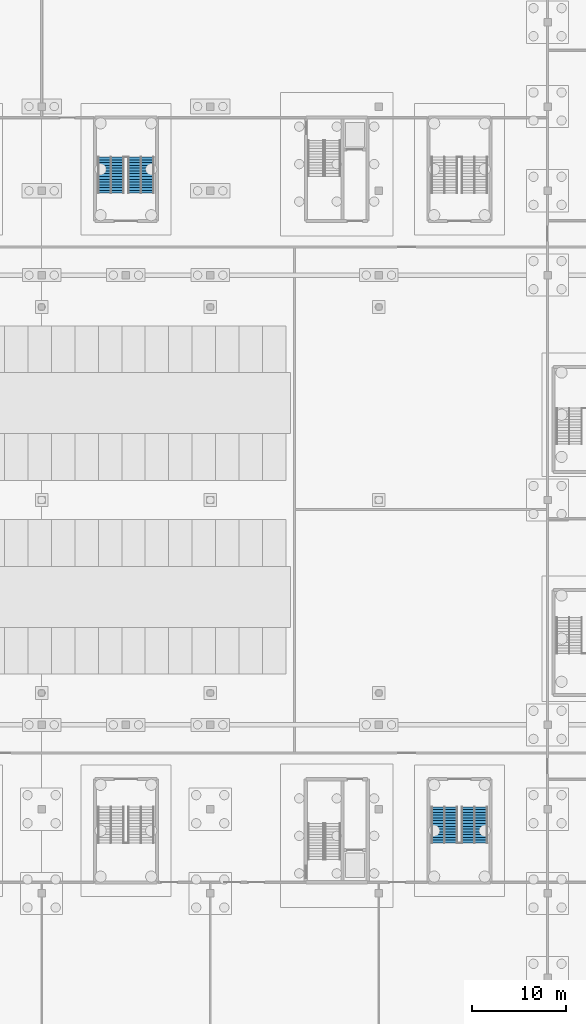
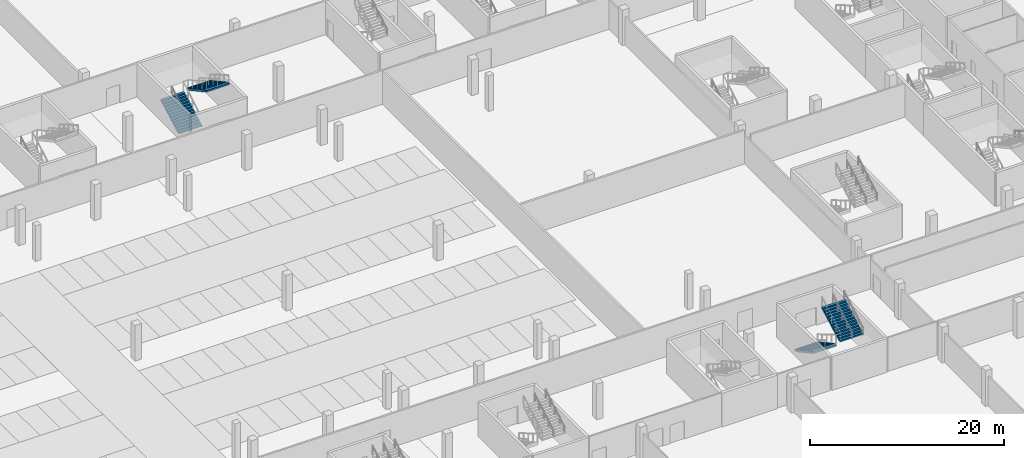
# One storey, part 34 of 46: 4 stair flights, 2 elements without a shape of their own.
"""IFC4 building model written with IfcOpenShell, lengths in metres."""

import ifcopenshell
import ifcopenshell.guid

model = None  # the IFC model being written
_history = None  # IfcOwnerHistory: only IFC2X3 demands one
_inside = {}  # id of a spatial element -> (the spatial element, [elements in it])
_under = {}  # id of a project, library or spatial element -> (it, [spatial elements below it])
_declared = {}  # id of a project -> (the project, [libraries it declares])
_typed = {}  # id of a type object -> (the type object, [elements of that type])
_made_of = {}  # id of a material, layer set ... -> (it, [elements and type objects made of it])


def new_model(schema):
    """Start an empty IFC model of exactly this schema.

    Asked for "IFC4X3", IfcOpenShell would pick the latest addendum, in which some entities
    have other attributes; the version numbers below select the first issue.
    IFC2X3 requires an IfcOwnerHistory on every rooted entity: one is made here for all.
    """
    global model, _history
    if schema == "IFC4X3":
        model = ifcopenshell.file(schema_version=(4, 3, 0, 0))
    else:
        model = ifcopenshell.file(schema=schema)
    _inside.clear()
    _under.clear()
    _declared.clear()
    _typed.clear()
    _made_of.clear()
    _history = None
    if model.schema == "IFC2X3":
        org = make("IfcOrganization", Name="unknown")
        user = make(
            "IfcPersonAndOrganization",
            ThePerson=make("IfcPerson", FamilyName="unknown"),
            TheOrganization=org,
        )
        app = make(
            "IfcApplication",
            ApplicationDeveloper=org,
            Version="unknown",
            ApplicationFullName="unknown",
            ApplicationIdentifier="unknown",
        )
        _history = make(
            "IfcOwnerHistory",
            OwningUser=user,
            OwningApplication=app,
            ChangeAction="ADDED",
            CreationDate=0,
        )
    return model


def make(cls, **values):
    """One entity of the class cls with the attributes given. An attribute that is None is left unset."""
    return model.create_entity(
        cls, **{name: value for name, value in values.items() if value is not None}
    )


def rooted(cls, **values):
    """An entity with a GlobalId (a new one), such as an element, a storey or a relation."""
    return make(cls, GlobalId=ifcopenshell.guid.new(), OwnerHistory=_history, **values)


def si_unit(unit_type, name, prefix=None):
    """IfcSIUnit, for example si_unit("LENGTHUNIT", "METRE", prefix="MILLI")."""
    return make("IfcSIUnit", UnitType=unit_type, Prefix=prefix, Name=name)


def assignment(units):
    """IfcUnitAssignment: the units of a project."""
    return None if units is None else make("IfcUnitAssignment", Units=units)


def point(xyz):
    """IfcCartesianPoint."""
    return None if xyz is None else make("IfcCartesianPoint", Coordinates=xyz)


def direction(xyz):
    """IfcDirection."""
    return None if xyz is None else make("IfcDirection", DirectionRatios=xyz)


def frame(location, z_axis=None, x_axis=None):
    """IfcAxis2Placement3D, a coordinate frame: its origin and axes. An axis left out is left unset."""
    return make(
        "IfcAxis2Placement3D",
        Location=point(location),
        Axis=direction(z_axis),
        RefDirection=direction(x_axis),
    )


def origin():
    """The frame at (0, 0, 0) with its axes left unset."""
    return frame((0.0, 0.0, 0.0))


def place(relative_to, where):
    """IfcLocalPlacement: puts the frame where relative to a parent placement (None: the world)."""
    return make(
        "IfcLocalPlacement", PlacementRelTo=relative_to, RelativePlacement=where
    )


def context(
    kind, dimensions, precision=None, world=None, true_north=None, identifier=None
):
    """IfcGeometricRepresentationContext, for example the 3D "Model" context."""
    return make(
        "IfcGeometricRepresentationContext",
        ContextIdentifier=identifier,
        ContextType=kind,
        CoordinateSpaceDimension=dimensions,
        Precision=precision,
        WorldCoordinateSystem=world,
        TrueNorth=true_north,
    )


def subcontext(parent, identifier, kind, view, scale=None):
    """IfcGeometricRepresentationSubContext, for example "Body" below "Model"."""
    return make(
        "IfcGeometricRepresentationSubContext",
        ContextIdentifier=identifier,
        ContextType=kind,
        ParentContext=parent,
        TargetScale=scale,
        TargetView=view,
    )


def project(units=None, contexts=None):
    """IfcProject with its units and contexts."""
    return rooted(
        "IfcProject",
        Name="project",
        RepresentationContexts=contexts,
        UnitsInContext=assignment(units),
    )


def spatial(cls, under=None, at=None, **own):
    """A site, building, storey or space (cls), placed at a placement, below another one or the project."""
    s = rooted(cls, ObjectPlacement=at, **own)
    if under is not None:
        _under.setdefault(under.id(), (under, []))[1].append(s)
    return s


def point_list(points):
    """IfcCartesianPointList2D or 3D."""
    cls = (
        "IfcCartesianPointList2D" if len(points[0]) == 2 else "IfcCartesianPointList3D"
    )
    return make(cls, CoordList=points)


def polygons(points, faces, closed=None, point_numbers=None):
    """IfcPolygonalFaceSet: a face is its outer loop, then its inner loops; points numbered from 1."""
    made = []
    for loops in faces:
        if len(loops) == 1:
            made.append(make("IfcIndexedPolygonalFace", CoordIndex=loops[0]))
        else:
            made.append(
                make(
                    "IfcIndexedPolygonalFaceWithVoids",
                    CoordIndex=loops[0],
                    InnerCoordIndices=loops[1:],
                )
            )
    return make(
        "IfcPolygonalFaceSet",
        Coordinates=point_list(points),
        Closed=closed,
        Faces=made,
        PnIndex=point_numbers,
    )


def shape(context_of_items, identifier, shape_type, items):
    """IfcShapeRepresentation: the items that make up one representation, for example the "Body"."""
    return make(
        "IfcShapeRepresentation",
        ContextOfItems=context_of_items,
        RepresentationIdentifier=identifier,
        RepresentationType=shape_type,
        Items=items,
    )


def material(Name=None, Category=None):
    """IfcMaterial."""
    return make("IfcMaterial", Name=Name, Category=Category)


def made_of(thing, what):
    """Note that an element or type object is made of a material, layer set ...; save() writes the relation."""
    if what is not None:
        _made_of.setdefault(what.id(), (what, []))[1].append(thing)
    return thing


def type_object(cls, material=None, **own):
    """A type object (cls), such as IfcWallType, which elements share."""
    return made_of(rooted(cls, **own), material)


def element(
    cls,
    number,
    at=None,
    inside=None,
    cuts=None,
    type_object=None,
    material=None,
    context=None,
    identifier="Body",
    shape_type=None,
    held_by="IfcProductDefinitionShape",
    body=None,
    shapes=None,
    **own,
):
    """One element of the class cls, such as IfcWall. Its Tag is "e" and its number.

    at: its placement. inside: the storey or other place that contains it. cuts: it is an
    opening in that element (IfcRelVoidsElement). A single representation is given by context,
    identifier, shape_type and body (its items); several are given by shapes. held_by: the class
    of the entity that holds the representations. save() writes the other relations.
    """
    e = rooted(cls, Tag="e%d" % number, ObjectPlacement=at, **own)
    if body is not None:
        shapes = [shape(context, identifier, shape_type, body)]
    if shapes is not None:
        e.Representation = make(held_by, Representations=shapes)
    if inside is not None:
        _inside.setdefault(inside.id(), (inside, []))[1].append(e)
    if cuts is not None:
        rooted(
            "IfcRelVoidsElement", RelatingBuildingElement=cuts, RelatedOpeningElement=e
        )
    if type_object is not None:
        _typed.setdefault(type_object.id(), (type_object, []))[1].append(e)
    return made_of(e, material)


def aggregate(whole, parts):
    """IfcRelAggregates: a whole, such as a stair, and the parts it consists of."""
    return rooted("IfcRelAggregates", RelatingObject=whole, RelatedObjects=parts)


def save(model, path):
    """Write the relations noted so far, then the file.

    IfcRelAggregates (storeys below a building ...), IfcRelContainedInSpatialStructure (elements
    in a storey), IfcRelDefinesByType, IfcRelAssociatesMaterial and IfcRelDeclares: one each for
    every whole, place, type object, material and project.
    """
    for whole, parts in _under.values():
        aggregate(whole, parts)
    for where, things in _inside.values():
        rooted(
            "IfcRelContainedInSpatialStructure",
            RelatedElements=things,
            RelatingStructure=where,
        )
    for kind, things in _typed.values():
        rooted("IfcRelDefinesByType", RelatedObjects=things, RelatingType=kind)
    for what, things in _made_of.values():
        rooted("IfcRelAssociatesMaterial", RelatedObjects=things, RelatingMaterial=what)
    for by, libraries in _declared.values():
        rooted("IfcRelDeclares", RelatingContext=by, RelatedDefinitions=libraries)
    model.write(path)


model = new_model("IFC4")

# Units and contexts
model_context = context("Model", 3, precision=1e-05, world=origin(), true_north=direction((0.0, 1.0)))
body_context = subcontext(model_context, "Body", "Model", "MODEL_VIEW")
ifc_project = project(units=[si_unit("LENGTHUNIT", "METRE"), si_unit("AREAUNIT", "SQUARE_METRE"), si_unit("VOLUMEUNIT", "CUBIC_METRE"), si_unit("PLANEANGLEUNIT", "RADIAN"), si_unit("MASSUNIT", "GRAM", prefix="KILO")], contexts=[model_context])

# Site, building, storey
site_placement = place(None, origin())
site = spatial("IfcSite", under=ifc_project, at=site_placement, CompositionType="ELEMENT")
building_placement = place(site_placement, origin())
building = spatial("IfcBuilding", under=site, at=building_placement, Name="Kisiwana Market Hall", CompositionType="ELEMENT")
storey_placement = place(building_placement, frame((0.0, 0.0, -4.5)))
storey = spatial("IfcBuildingStorey", under=building, at=storey_placement, Name="B1", CompositionType="ELEMENT", Elevation=-4.5)

# Stair, stair flights
ifc_material_1 = material(Name="Concrete C32/40", Category="concrete")
stair_type = type_object("IfcStairType", Name="ST-ESC-4500", PredefinedType="TWO_STRAIGHT_RUN_STAIR", material=ifc_material_1)
stair_1_placement = place(storey_placement, origin())
stair_1 = element("IfcStair", 1, at=stair_1_placement, inside=storey, type_object=stair_type, Name="Escape stair ST-N5-B1", PredefinedType="TWO_STRAIGHT_RUN_STAIR")
ifc_material_2 = material(Name="Concrete C32/40", Category="concrete")
stair_flight_type = type_object("IfcStairFlightType", Name="SF-ESC-4500", PredefinedType="STRAIGHT", material=ifc_material_2)
stair_flight_1_placement = place(storey_placement, frame((106.389892578125, 92.760009765625, 0.0), z_axis=(0.0, 0.0, 1.0), x_axis=(0.0, 1.0, 0.0)))
stair_flight_1 = element("IfcStairFlight", 2, at=stair_flight_1_placement, type_object=stair_flight_type, Name="ST-N5-B1 flight 1", NumberOfRisers=14, NumberOfTreads=13, PredefinedType="STRAIGHT", RiserHeight=0.160714, TreadLength=0.295, context=body_context, shape_type="Tessellation", body=[
    polygons([(0.0, -1.380127, 0.0), (0.0, -0.690125, 0.0), (0.0, -0.000122, 0.0), (0.0, 0.68988, 0.0), (0.0, 1.379883, 0.0), (0.0, -1.380127, 0.160645), (0.0, -0.690125, 0.160645), (0.0, -0.000122, 0.160645), (0.0, 0.68988, 0.160645), (0.0, 1.379883, 0.160645), (0.294922, -1.380127, 0.160645), (0.294922, -0.690125, 0.160645), (0.294922, -0.000122, 0.160645), (0.294922, 0.68988, 0.160645), (0.294922, 1.379883, 0.160645), (0.294922, -1.380127, 0.321533), (0.294922, -0.690125, 0.321533), (0.294922, -0.000122, 0.321533), (0.294922, 0.68988, 0.321533), (0.294922, 1.379883, 0.321533), (0.590088, -1.380127, 0.321533), (0.590088, -0.690125, 0.321533), (0.590088, -0.000122, 0.321533), (0.590088, 0.68988, 0.321533), (0.590088, 1.379883, 0.321533), (0.590088, -1.380127, 0.482178), (0.590088, -0.690125, 0.482178), (0.590088, -0.000122, 0.482178), (0.590088, 0.68988, 0.482178), (0.590088, 1.379883, 0.482178), (0.88501, -1.380127, 0.482178), (0.88501, -0.690125, 0.482178), (0.88501, -0.000122, 0.482178), (0.88501, 0.68988, 0.482178), (0.88501, 1.379883, 0.482178), (0.88501, -1.380127, 0.642822), (0.88501, -0.690125, 0.642822), (0.88501, -0.000122, 0.642822), (0.88501, 0.68988, 0.642822), (0.88501, 1.379883, 0.642822), (1.179932, -1.380127, 0.642822), (1.179932, -0.690125, 0.642822), (1.179932, -0.000122, 0.642822), (1.179932, 0.68988, 0.642822), (1.179932, 1.379883, 0.642822), (1.179932, -1.380127, 0.803467), (1.179932, -0.690125, 0.803467), (1.179932, -0.000122, 0.803467), (1.179932, 0.68988, 0.803467), (1.179932, 1.379883, 0.803467), (1.475098, -1.380127, 0.803467), (1.475098, -0.690125, 0.803467), (1.475098, -0.000122, 0.803467), (1.475098, 0.68988, 0.803467), (1.475098, 1.379883, 0.803467), (1.475098, -1.380127, 0.964355), (1.475098, -0.690125, 0.964355), (1.475098, -0.000122, 0.964355), (1.475098, 0.68988, 0.964355), (1.475098, 1.379883, 0.964355), (1.77002, -1.380127, 0.964355), (1.77002, -0.690125, 0.964355), (1.77002, -0.000122, 0.964355), (1.77002, 0.68988, 0.964355), (1.77002, 1.379883, 0.964355), (1.77002, -1.380127, 1.125), (1.77002, -0.690125, 1.125), (1.77002, -0.000122, 1.125), (1.77002, 0.68988, 1.125), (1.77002, 1.379883, 1.125), (2.064941, -1.380127, 1.125), (2.064941, -0.690125, 1.125), (2.064941, -0.000122, 1.125), (2.064941, 0.68988, 1.125), (2.064941, 1.379883, 1.125), (2.064941, -1.380127, 1.285645), (2.064941, -0.690125, 1.285645), (2.064941, -0.000122, 1.285645), (2.064941, 0.68988, 1.285645), (2.064941, 1.379883, 1.285645), (2.360107, -1.380127, 1.285645), (2.360107, -0.690125, 1.285645), (2.360107, -0.000122, 1.285645), (2.360107, 0.68988, 1.285645), (2.360107, 1.379883, 1.285645), (2.360107, -1.380127, 1.446533), (2.360107, -0.690125, 1.446533), (2.360107, -0.000122, 1.446533), (2.360107, 0.68988, 1.446533), (2.360107, 1.379883, 1.446533), (2.655029, -1.380127, 1.446533), (2.655029, -0.690125, 1.446533), (2.655029, -0.000122, 1.446533), (2.655029, 0.68988, 1.446533), (2.655029, 1.379883, 1.446533), (2.655029, -1.380127, 1.607178), (2.655029, -0.690125, 1.607178), (2.655029, -0.000122, 1.607178), (2.655029, 0.68988, 1.607178), (2.655029, 1.379883, 1.607178), (2.949951, -1.380127, 1.607178), (2.949951, -0.690125, 1.607178), (2.949951, -0.000122, 1.607178), (2.949951, 0.68988, 1.607178), (2.949951, 1.379883, 1.607178), (2.949951, -1.380127, 1.767822), (2.949951, -0.690125, 1.767822), (2.949951, -0.000122, 1.767822), (2.949951, 0.68988, 1.767822), (2.949951, 1.379883, 1.767822), (3.245117, -1.380127, 1.767822), (3.245117, -0.690125, 1.767822), (3.245117, -0.000122, 1.767822), (3.245117, 0.68988, 1.767822), (3.245117, 1.379883, 1.767822), (3.245117, -1.380127, 1.928467), (3.245117, -0.690125, 1.928467), (3.245117, -0.000122, 1.928467), (3.245117, 0.68988, 1.928467), (3.245117, 1.379883, 1.928467), (3.540039, -1.380127, 1.928467), (3.540039, -0.690125, 1.928467), (3.540039, -0.000122, 1.928467), (3.540039, 0.68988, 1.928467), (3.540039, 1.379883, 1.928467), (3.540039, -1.380127, 2.089355), (3.540039, -0.690125, 2.089355), (3.540039, -0.000122, 2.089355), (3.540039, 0.68988, 2.089355), (3.540039, 1.379883, 2.089355), (3.834961, -1.380127, 2.089355), (3.834961, -0.690125, 2.089355), (3.834961, -0.000122, 2.089355), (3.834961, 0.68988, 2.089355), (3.834961, 1.379883, 2.089355), (3.834961, -1.380127, 1.884277), (3.834961, -0.690125, 1.884277), (3.834961, -0.000122, 1.884277), (3.834961, 0.68988, 1.884277), (3.834961, 1.379883, 1.884277), (0.376221, -1.380127, 0.0), (0.376221, -0.690125, 0.0), (0.376221, -0.000122, 0.0), (0.376221, 0.68988, 0.0), (0.376221, 1.379883, 0.0)], [[[1, 6, 7, 2]], [[2, 7, 8, 3]], [[3, 8, 9, 4]], [[4, 9, 10, 5]], [[6, 11, 12, 7]], [[7, 12, 13, 8]], [[8, 13, 14, 9]], [[9, 14, 15, 10]], [[11, 16, 17, 12]], [[12, 17, 18, 13]], [[13, 18, 19, 14]], [[14, 19, 20, 15]], [[16, 21, 22, 17]], [[17, 22, 23, 18]], [[18, 23, 24, 19]], [[19, 24, 25, 20]], [[21, 26, 27, 22]], [[22, 27, 28, 23]], [[23, 28, 29, 24]], [[24, 29, 30, 25]], [[26, 31, 32, 27]], [[27, 32, 33, 28]], [[28, 33, 34, 29]], [[29, 34, 35, 30]], [[31, 36, 37, 32]], [[32, 37, 38, 33]], [[33, 38, 39, 34]], [[34, 39, 40, 35]], [[36, 41, 42, 37]], [[37, 42, 43, 38]], [[38, 43, 44, 39]], [[39, 44, 45, 40]], [[41, 46, 47, 42]], [[42, 47, 48, 43]], [[43, 48, 49, 44]], [[44, 49, 50, 45]], [[46, 51, 52, 47]], [[47, 52, 53, 48]], [[48, 53, 54, 49]], [[49, 54, 55, 50]], [[51, 56, 57, 52]], [[52, 57, 58, 53]], [[53, 58, 59, 54]], [[54, 59, 60, 55]], [[56, 61, 62, 57]], [[57, 62, 63, 58]], [[58, 63, 64, 59]], [[59, 64, 65, 60]], [[61, 66, 67, 62]], [[62, 67, 68, 63]], [[63, 68, 69, 64]], [[64, 69, 70, 65]], [[66, 71, 72, 67]], [[67, 72, 73, 68]], [[68, 73, 74, 69]], [[69, 74, 75, 70]], [[71, 76, 77, 72]], [[72, 77, 78, 73]], [[73, 78, 79, 74]], [[74, 79, 80, 75]], [[76, 81, 82, 77]], [[77, 82, 83, 78]], [[78, 83, 84, 79]], [[79, 84, 85, 80]], [[81, 86, 87, 82]], [[82, 87, 88, 83]], [[83, 88, 89, 84]], [[84, 89, 90, 85]], [[86, 91, 92, 87]], [[87, 92, 93, 88]], [[88, 93, 94, 89]], [[89, 94, 95, 90]], [[91, 96, 97, 92]], [[92, 97, 98, 93]], [[93, 98, 99, 94]], [[94, 99, 100, 95]], [[96, 101, 102, 97]], [[97, 102, 103, 98]], [[98, 103, 104, 99]], [[99, 104, 105, 100]], [[101, 106, 107, 102]], [[102, 107, 108, 103]], [[103, 108, 109, 104]], [[104, 109, 110, 105]], [[106, 111, 112, 107]], [[107, 112, 113, 108]], [[108, 113, 114, 109]], [[109, 114, 115, 110]], [[111, 116, 117, 112]], [[112, 117, 118, 113]], [[113, 118, 119, 114]], [[114, 119, 120, 115]], [[116, 121, 122, 117]], [[117, 122, 123, 118]], [[118, 123, 124, 119]], [[119, 124, 125, 120]], [[121, 126, 127, 122]], [[122, 127, 128, 123]], [[123, 128, 129, 124]], [[124, 129, 130, 125]], [[126, 131, 132, 127]], [[127, 132, 133, 128]], [[128, 133, 134, 129]], [[129, 134, 135, 130]], [[131, 136, 137, 132]], [[132, 137, 138, 133]], [[133, 138, 139, 134]], [[134, 139, 140, 135]], [[136, 141, 142, 137]], [[137, 142, 143, 138]], [[138, 143, 144, 139]], [[139, 144, 145, 140]], [[141, 1, 2, 142]], [[142, 2, 3, 143]], [[143, 3, 4, 144]], [[144, 4, 5, 145]], [[141, 136, 131, 126, 121, 116, 111, 106, 101, 96, 91, 86, 81, 76, 71, 66, 61, 56, 51, 46, 41, 36, 31, 26, 21, 16, 11, 6, 1]], [[5, 10, 15, 20, 25, 30, 35, 40, 45, 50, 55, 60, 65, 70, 75, 80, 85, 90, 95, 100, 105, 110, 115, 120, 125, 130, 135, 140, 145]]], closed=True),
])
stair_flight_2_placement = place(storey_placement, frame((109.610107421875, 96.594970703125, 2.25), z_axis=(0.0, 0.0, 1.0), x_axis=(0.0, -1.0, 0.0)))
stair_flight_2 = element("IfcStairFlight", 3, at=stair_flight_2_placement, type_object=stair_flight_type, Name="ST-N5-B1 flight 2", NumberOfRisers=14, NumberOfTreads=13, PredefinedType="STRAIGHT", RiserHeight=0.160714, TreadLength=0.295, context=body_context, shape_type="Tessellation", body=[
    polygons([(0.0, -1.380127, 0.0), (0.0, -0.690125, 0.0), (0.0, -0.000122, 0.0), (0.0, 0.68988, 0.0), (0.0, 1.379883, 0.0), (0.0, -1.380127, 0.160645), (0.0, -0.690125, 0.160645), (0.0, -0.000122, 0.160645), (0.0, 0.68988, 0.160645), (0.0, 1.379883, 0.160645), (0.294922, -1.380127, 0.160645), (0.294922, -0.690125, 0.160645), (0.294922, -0.000122, 0.160645), (0.294922, 0.68988, 0.160645), (0.294922, 1.379883, 0.160645), (0.294922, -1.380127, 0.321533), (0.294922, -0.690125, 0.321533), (0.294922, -0.000122, 0.321533), (0.294922, 0.68988, 0.321533), (0.294922, 1.379883, 0.321533), (0.590088, -1.380127, 0.321533), (0.590088, -0.690125, 0.321533), (0.590088, -0.000122, 0.321533), (0.590088, 0.68988, 0.321533), (0.590088, 1.379883, 0.321533), (0.590088, -1.380127, 0.482178), (0.590088, -0.690125, 0.482178), (0.590088, -0.000122, 0.482178), (0.590088, 0.68988, 0.482178), (0.590088, 1.379883, 0.482178), (0.88501, -1.380127, 0.482178), (0.88501, -0.690125, 0.482178), (0.88501, -0.000122, 0.482178), (0.88501, 0.68988, 0.482178), (0.88501, 1.379883, 0.482178), (0.88501, -1.380127, 0.642822), (0.88501, -0.690125, 0.642822), (0.88501, -0.000122, 0.642822), (0.88501, 0.68988, 0.642822), (0.88501, 1.379883, 0.642822), (1.179932, -1.380127, 0.642822), (1.179932, -0.690125, 0.642822), (1.179932, -0.000122, 0.642822), (1.179932, 0.68988, 0.642822), (1.179932, 1.379883, 0.642822), (1.179932, -1.380127, 0.803467), (1.179932, -0.690125, 0.803467), (1.179932, -0.000122, 0.803467), (1.179932, 0.68988, 0.803467), (1.179932, 1.379883, 0.803467), (1.475098, -1.380127, 0.803467), (1.475098, -0.690125, 0.803467), (1.475098, -0.000122, 0.803467), (1.475098, 0.68988, 0.803467), (1.475098, 1.379883, 0.803467), (1.475098, -1.380127, 0.964355), (1.475098, -0.690125, 0.964355), (1.475098, -0.000122, 0.964355), (1.475098, 0.68988, 0.964355), (1.475098, 1.379883, 0.964355), (1.77002, -1.380127, 0.964355), (1.77002, -0.690125, 0.964355), (1.77002, -0.000122, 0.964355), (1.77002, 0.68988, 0.964355), (1.77002, 1.379883, 0.964355), (1.77002, -1.380127, 1.125), (1.77002, -0.690125, 1.125), (1.77002, -0.000122, 1.125), (1.77002, 0.68988, 1.125), (1.77002, 1.379883, 1.125), (2.064941, -1.380127, 1.125), (2.064941, -0.690125, 1.125), (2.064941, -0.000122, 1.125), (2.064941, 0.68988, 1.125), (2.064941, 1.379883, 1.125), (2.064941, -1.380127, 1.285645), (2.064941, -0.690125, 1.285645), (2.064941, -0.000122, 1.285645), (2.064941, 0.68988, 1.285645), (2.064941, 1.379883, 1.285645), (2.360107, -1.380127, 1.285645), (2.360107, -0.690125, 1.285645), (2.360107, -0.000122, 1.285645), (2.360107, 0.68988, 1.285645), (2.360107, 1.379883, 1.285645), (2.360107, -1.380127, 1.446533), (2.360107, -0.690125, 1.446533), (2.360107, -0.000122, 1.446533), (2.360107, 0.68988, 1.446533), (2.360107, 1.379883, 1.446533), (2.655029, -1.380127, 1.446533), (2.655029, -0.690125, 1.446533), (2.655029, -0.000122, 1.446533), (2.655029, 0.68988, 1.446533), (2.655029, 1.379883, 1.446533), (2.655029, -1.380127, 1.607178), (2.655029, -0.690125, 1.607178), (2.655029, -0.000122, 1.607178), (2.655029, 0.68988, 1.607178), (2.655029, 1.379883, 1.607178), (2.949951, -1.380127, 1.607178), (2.949951, -0.690125, 1.607178), (2.949951, -0.000122, 1.607178), (2.949951, 0.68988, 1.607178), (2.949951, 1.379883, 1.607178), (2.949951, -1.380127, 1.767822), (2.949951, -0.690125, 1.767822), (2.949951, -0.000122, 1.767822), (2.949951, 0.68988, 1.767822), (2.949951, 1.379883, 1.767822), (3.245117, -1.380127, 1.767822), (3.245117, -0.690125, 1.767822), (3.245117, -0.000122, 1.767822), (3.245117, 0.68988, 1.767822), (3.245117, 1.379883, 1.767822), (3.245117, -1.380127, 1.928467), (3.245117, -0.690125, 1.928467), (3.245117, -0.000122, 1.928467), (3.245117, 0.68988, 1.928467), (3.245117, 1.379883, 1.928467), (3.540039, -1.380127, 1.928467), (3.540039, -0.690125, 1.928467), (3.540039, -0.000122, 1.928467), (3.540039, 0.68988, 1.928467), (3.540039, 1.379883, 1.928467), (3.540039, -1.380127, 2.089355), (3.540039, -0.690125, 2.089355), (3.540039, -0.000122, 2.089355), (3.540039, 0.68988, 2.089355), (3.540039, 1.379883, 2.089355), (3.834961, -1.380127, 2.089355), (3.834961, -0.690125, 2.089355), (3.834961, -0.000122, 2.089355), (3.834961, 0.68988, 2.089355), (3.834961, 1.379883, 2.089355), (3.834961, -1.380127, 1.884277), (3.834961, -0.690125, 1.884277), (3.834961, -0.000122, 1.884277), (3.834961, 0.68988, 1.884277), (3.834961, 1.379883, 1.884277), (0.376221, -1.380127, 0.0), (0.376221, -0.690125, 0.0), (0.376221, -0.000122, 0.0), (0.376221, 0.68988, 0.0), (0.376221, 1.379883, 0.0)], [[[1, 6, 7, 2]], [[2, 7, 8, 3]], [[3, 8, 9, 4]], [[4, 9, 10, 5]], [[6, 11, 12, 7]], [[7, 12, 13, 8]], [[8, 13, 14, 9]], [[9, 14, 15, 10]], [[11, 16, 17, 12]], [[12, 17, 18, 13]], [[13, 18, 19, 14]], [[14, 19, 20, 15]], [[16, 21, 22, 17]], [[17, 22, 23, 18]], [[18, 23, 24, 19]], [[19, 24, 25, 20]], [[21, 26, 27, 22]], [[22, 27, 28, 23]], [[23, 28, 29, 24]], [[24, 29, 30, 25]], [[26, 31, 32, 27]], [[27, 32, 33, 28]], [[28, 33, 34, 29]], [[29, 34, 35, 30]], [[31, 36, 37, 32]], [[32, 37, 38, 33]], [[33, 38, 39, 34]], [[34, 39, 40, 35]], [[36, 41, 42, 37]], [[37, 42, 43, 38]], [[38, 43, 44, 39]], [[39, 44, 45, 40]], [[41, 46, 47, 42]], [[42, 47, 48, 43]], [[43, 48, 49, 44]], [[44, 49, 50, 45]], [[46, 51, 52, 47]], [[47, 52, 53, 48]], [[48, 53, 54, 49]], [[49, 54, 55, 50]], [[51, 56, 57, 52]], [[52, 57, 58, 53]], [[53, 58, 59, 54]], [[54, 59, 60, 55]], [[56, 61, 62, 57]], [[57, 62, 63, 58]], [[58, 63, 64, 59]], [[59, 64, 65, 60]], [[61, 66, 67, 62]], [[62, 67, 68, 63]], [[63, 68, 69, 64]], [[64, 69, 70, 65]], [[66, 71, 72, 67]], [[67, 72, 73, 68]], [[68, 73, 74, 69]], [[69, 74, 75, 70]], [[71, 76, 77, 72]], [[72, 77, 78, 73]], [[73, 78, 79, 74]], [[74, 79, 80, 75]], [[76, 81, 82, 77]], [[77, 82, 83, 78]], [[78, 83, 84, 79]], [[79, 84, 85, 80]], [[81, 86, 87, 82]], [[82, 87, 88, 83]], [[83, 88, 89, 84]], [[84, 89, 90, 85]], [[86, 91, 92, 87]], [[87, 92, 93, 88]], [[88, 93, 94, 89]], [[89, 94, 95, 90]], [[91, 96, 97, 92]], [[92, 97, 98, 93]], [[93, 98, 99, 94]], [[94, 99, 100, 95]], [[96, 101, 102, 97]], [[97, 102, 103, 98]], [[98, 103, 104, 99]], [[99, 104, 105, 100]], [[101, 106, 107, 102]], [[102, 107, 108, 103]], [[103, 108, 109, 104]], [[104, 109, 110, 105]], [[106, 111, 112, 107]], [[107, 112, 113, 108]], [[108, 113, 114, 109]], [[109, 114, 115, 110]], [[111, 116, 117, 112]], [[112, 117, 118, 113]], [[113, 118, 119, 114]], [[114, 119, 120, 115]], [[116, 121, 122, 117]], [[117, 122, 123, 118]], [[118, 123, 124, 119]], [[119, 124, 125, 120]], [[121, 126, 127, 122]], [[122, 127, 128, 123]], [[123, 128, 129, 124]], [[124, 129, 130, 125]], [[126, 131, 132, 127]], [[127, 132, 133, 128]], [[128, 133, 134, 129]], [[129, 134, 135, 130]], [[131, 136, 137, 132]], [[132, 137, 138, 133]], [[133, 138, 139, 134]], [[134, 139, 140, 135]], [[136, 141, 142, 137]], [[137, 142, 143, 138]], [[138, 143, 144, 139]], [[139, 144, 145, 140]], [[141, 1, 2, 142]], [[142, 2, 3, 143]], [[143, 3, 4, 144]], [[144, 4, 5, 145]], [[141, 136, 131, 126, 121, 116, 111, 106, 101, 96, 91, 86, 81, 76, 71, 66, 61, 56, 51, 46, 41, 36, 31, 26, 21, 16, 11, 6, 1]], [[5, 10, 15, 20, 25, 30, 35, 40, 45, 50, 55, 60, 65, 70, 75, 80, 85, 90, 95, 100, 105, 110, 115, 120, 125, 130, 135, 140, 145]]], closed=True),
])
aggregate(stair_1, [stair_flight_1, stair_flight_2])

stair_2_placement = place(storey_placement, origin())
stair_2 = element("IfcStair", 4, at=stair_2_placement, inside=storey, type_object=stair_type, Name="Escape stair ST-S6-B1", PredefinedType="TWO_STRAIGHT_RUN_STAIR")
stair_flight_3_placement = place(storey_placement, frame((141.989990234375, 27.239990234375, 0.0), z_axis=(0.0, 0.0, 1.0), x_axis=(0.0, -1.0, 0.0)))
stair_flight_3 = element("IfcStairFlight", 5, at=stair_flight_3_placement, type_object=stair_flight_type, Name="ST-S6-B1 flight 1", NumberOfRisers=14, NumberOfTreads=13, PredefinedType="STRAIGHT", RiserHeight=0.160714, TreadLength=0.295, context=body_context, shape_type="Tessellation", body=[
    polygons([(0.0, -1.380127, 0.0), (0.0, -0.690125, 0.0), (0.0, -0.000122, 0.0), (0.0, 0.68988, 0.0), (0.0, 1.379883, 0.0), (0.0, -1.380127, 0.160645), (0.0, -0.690125, 0.160645), (0.0, -0.000122, 0.160645), (0.0, 0.68988, 0.160645), (0.0, 1.379883, 0.160645), (0.294922, -1.380127, 0.160645), (0.294922, -0.690125, 0.160645), (0.294922, -0.000122, 0.160645), (0.294922, 0.68988, 0.160645), (0.294922, 1.379883, 0.160645), (0.294922, -1.380127, 0.321533), (0.294922, -0.690125, 0.321533), (0.294922, -0.000122, 0.321533), (0.294922, 0.68988, 0.321533), (0.294922, 1.379883, 0.321533), (0.590088, -1.380127, 0.321533), (0.590088, -0.690125, 0.321533), (0.590088, -0.000122, 0.321533), (0.590088, 0.68988, 0.321533), (0.590088, 1.379883, 0.321533), (0.590088, -1.380127, 0.482178), (0.590088, -0.690125, 0.482178), (0.590088, -0.000122, 0.482178), (0.590088, 0.68988, 0.482178), (0.590088, 1.379883, 0.482178), (0.88501, -1.380127, 0.482178), (0.88501, -0.690125, 0.482178), (0.88501, -0.000122, 0.482178), (0.88501, 0.68988, 0.482178), (0.88501, 1.379883, 0.482178), (0.88501, -1.380127, 0.642822), (0.88501, -0.690125, 0.642822), (0.88501, -0.000122, 0.642822), (0.88501, 0.68988, 0.642822), (0.88501, 1.379883, 0.642822), (1.179932, -1.380127, 0.642822), (1.179932, -0.690125, 0.642822), (1.179932, -0.000122, 0.642822), (1.179932, 0.68988, 0.642822), (1.179932, 1.379883, 0.642822), (1.179932, -1.380127, 0.803467), (1.179932, -0.690125, 0.803467), (1.179932, -0.000122, 0.803467), (1.179932, 0.68988, 0.803467), (1.179932, 1.379883, 0.803467), (1.475098, -1.380127, 0.803467), (1.475098, -0.690125, 0.803467), (1.475098, -0.000122, 0.803467), (1.475098, 0.68988, 0.803467), (1.475098, 1.379883, 0.803467), (1.475098, -1.380127, 0.964355), (1.475098, -0.690125, 0.964355), (1.475098, -0.000122, 0.964355), (1.475098, 0.68988, 0.964355), (1.475098, 1.379883, 0.964355), (1.77002, -1.380127, 0.964355), (1.77002, -0.690125, 0.964355), (1.77002, -0.000122, 0.964355), (1.77002, 0.68988, 0.964355), (1.77002, 1.379883, 0.964355), (1.77002, -1.380127, 1.125), (1.77002, -0.690125, 1.125), (1.77002, -0.000122, 1.125), (1.77002, 0.68988, 1.125), (1.77002, 1.379883, 1.125), (2.064941, -1.380127, 1.125), (2.064941, -0.690125, 1.125), (2.064941, -0.000122, 1.125), (2.064941, 0.68988, 1.125), (2.064941, 1.379883, 1.125), (2.064941, -1.380127, 1.285645), (2.064941, -0.690125, 1.285645), (2.064941, -0.000122, 1.285645), (2.064941, 0.68988, 1.285645), (2.064941, 1.379883, 1.285645), (2.360107, -1.380127, 1.285645), (2.360107, -0.690125, 1.285645), (2.360107, -0.000122, 1.285645), (2.360107, 0.68988, 1.285645), (2.360107, 1.379883, 1.285645), (2.360107, -1.380127, 1.446533), (2.360107, -0.690125, 1.446533), (2.360107, -0.000122, 1.446533), (2.360107, 0.68988, 1.446533), (2.360107, 1.379883, 1.446533), (2.655029, -1.380127, 1.446533), (2.655029, -0.690125, 1.446533), (2.655029, -0.000122, 1.446533), (2.655029, 0.68988, 1.446533), (2.655029, 1.379883, 1.446533), (2.655029, -1.380127, 1.607178), (2.655029, -0.690125, 1.607178), (2.655029, -0.000122, 1.607178), (2.655029, 0.68988, 1.607178), (2.655029, 1.379883, 1.607178), (2.949951, -1.380127, 1.607178), (2.949951, -0.690125, 1.607178), (2.949951, -0.000122, 1.607178), (2.949951, 0.68988, 1.607178), (2.949951, 1.379883, 1.607178), (2.949951, -1.380127, 1.767822), (2.949951, -0.690125, 1.767822), (2.949951, -0.000122, 1.767822), (2.949951, 0.68988, 1.767822), (2.949951, 1.379883, 1.767822), (3.245117, -1.380127, 1.767822), (3.245117, -0.690125, 1.767822), (3.245117, -0.000122, 1.767822), (3.245117, 0.68988, 1.767822), (3.245117, 1.379883, 1.767822), (3.245117, -1.380127, 1.928467), (3.245117, -0.690125, 1.928467), (3.245117, -0.000122, 1.928467), (3.245117, 0.68988, 1.928467), (3.245117, 1.379883, 1.928467), (3.540039, -1.380127, 1.928467), (3.540039, -0.690125, 1.928467), (3.540039, -0.000122, 1.928467), (3.540039, 0.68988, 1.928467), (3.540039, 1.379883, 1.928467), (3.540039, -1.380127, 2.089355), (3.540039, -0.690125, 2.089355), (3.540039, -0.000122, 2.089355), (3.540039, 0.68988, 2.089355), (3.540039, 1.379883, 2.089355), (3.834961, -1.380127, 2.089355), (3.834961, -0.690125, 2.089355), (3.834961, -0.000122, 2.089355), (3.834961, 0.68988, 2.089355), (3.834961, 1.379883, 2.089355), (3.834961, -1.380127, 1.884277), (3.834961, -0.690125, 1.884277), (3.834961, -0.000122, 1.884277), (3.834961, 0.68988, 1.884277), (3.834961, 1.379883, 1.884277), (0.376221, -1.380127, 0.0), (0.376221, -0.690125, 0.0), (0.376221, -0.000122, 0.0), (0.376221, 0.68988, 0.0), (0.376221, 1.379883, 0.0)], [[[1, 6, 7, 2]], [[2, 7, 8, 3]], [[3, 8, 9, 4]], [[4, 9, 10, 5]], [[6, 11, 12, 7]], [[7, 12, 13, 8]], [[8, 13, 14, 9]], [[9, 14, 15, 10]], [[11, 16, 17, 12]], [[12, 17, 18, 13]], [[13, 18, 19, 14]], [[14, 19, 20, 15]], [[16, 21, 22, 17]], [[17, 22, 23, 18]], [[18, 23, 24, 19]], [[19, 24, 25, 20]], [[21, 26, 27, 22]], [[22, 27, 28, 23]], [[23, 28, 29, 24]], [[24, 29, 30, 25]], [[26, 31, 32, 27]], [[27, 32, 33, 28]], [[28, 33, 34, 29]], [[29, 34, 35, 30]], [[31, 36, 37, 32]], [[32, 37, 38, 33]], [[33, 38, 39, 34]], [[34, 39, 40, 35]], [[36, 41, 42, 37]], [[37, 42, 43, 38]], [[38, 43, 44, 39]], [[39, 44, 45, 40]], [[41, 46, 47, 42]], [[42, 47, 48, 43]], [[43, 48, 49, 44]], [[44, 49, 50, 45]], [[46, 51, 52, 47]], [[47, 52, 53, 48]], [[48, 53, 54, 49]], [[49, 54, 55, 50]], [[51, 56, 57, 52]], [[52, 57, 58, 53]], [[53, 58, 59, 54]], [[54, 59, 60, 55]], [[56, 61, 62, 57]], [[57, 62, 63, 58]], [[58, 63, 64, 59]], [[59, 64, 65, 60]], [[61, 66, 67, 62]], [[62, 67, 68, 63]], [[63, 68, 69, 64]], [[64, 69, 70, 65]], [[66, 71, 72, 67]], [[67, 72, 73, 68]], [[68, 73, 74, 69]], [[69, 74, 75, 70]], [[71, 76, 77, 72]], [[72, 77, 78, 73]], [[73, 78, 79, 74]], [[74, 79, 80, 75]], [[76, 81, 82, 77]], [[77, 82, 83, 78]], [[78, 83, 84, 79]], [[79, 84, 85, 80]], [[81, 86, 87, 82]], [[82, 87, 88, 83]], [[83, 88, 89, 84]], [[84, 89, 90, 85]], [[86, 91, 92, 87]], [[87, 92, 93, 88]], [[88, 93, 94, 89]], [[89, 94, 95, 90]], [[91, 96, 97, 92]], [[92, 97, 98, 93]], [[93, 98, 99, 94]], [[94, 99, 100, 95]], [[96, 101, 102, 97]], [[97, 102, 103, 98]], [[98, 103, 104, 99]], [[99, 104, 105, 100]], [[101, 106, 107, 102]], [[102, 107, 108, 103]], [[103, 108, 109, 104]], [[104, 109, 110, 105]], [[106, 111, 112, 107]], [[107, 112, 113, 108]], [[108, 113, 114, 109]], [[109, 114, 115, 110]], [[111, 116, 117, 112]], [[112, 117, 118, 113]], [[113, 118, 119, 114]], [[114, 119, 120, 115]], [[116, 121, 122, 117]], [[117, 122, 123, 118]], [[118, 123, 124, 119]], [[119, 124, 125, 120]], [[121, 126, 127, 122]], [[122, 127, 128, 123]], [[123, 128, 129, 124]], [[124, 129, 130, 125]], [[126, 131, 132, 127]], [[127, 132, 133, 128]], [[128, 133, 134, 129]], [[129, 134, 135, 130]], [[131, 136, 137, 132]], [[132, 137, 138, 133]], [[133, 138, 139, 134]], [[134, 139, 140, 135]], [[136, 141, 142, 137]], [[137, 142, 143, 138]], [[138, 143, 144, 139]], [[139, 144, 145, 140]], [[141, 1, 2, 142]], [[142, 2, 3, 143]], [[143, 3, 4, 144]], [[144, 4, 5, 145]], [[141, 136, 131, 126, 121, 116, 111, 106, 101, 96, 91, 86, 81, 76, 71, 66, 61, 56, 51, 46, 41, 36, 31, 26, 21, 16, 11, 6, 1]], [[5, 10, 15, 20, 25, 30, 35, 40, 45, 50, 55, 60, 65, 70, 75, 80, 85, 90, 95, 100, 105, 110, 115, 120, 125, 130, 135, 140, 145]]], closed=True),
])
stair_flight_4_placement = place(storey_placement, frame((145.2099609375, 23.405029296875, 2.25), z_axis=(0.0, 0.0, 1.0), x_axis=(0.0, 1.0, 0.0)))
stair_flight_4 = element("IfcStairFlight", 6, at=stair_flight_4_placement, type_object=stair_flight_type, Name="ST-S6-B1 flight 2", NumberOfRisers=14, NumberOfTreads=13, PredefinedType="STRAIGHT", RiserHeight=0.160714, TreadLength=0.295, context=body_context, shape_type="Tessellation", body=[
    polygons([(0.0, -1.380127, 0.0), (0.0, -0.690125, 0.0), (0.0, -0.000122, 0.0), (0.0, 0.68988, 0.0), (0.0, 1.379883, 0.0), (0.0, -1.380127, 0.160645), (0.0, -0.690125, 0.160645), (0.0, -0.000122, 0.160645), (0.0, 0.68988, 0.160645), (0.0, 1.379883, 0.160645), (0.294922, -1.380127, 0.160645), (0.294922, -0.690125, 0.160645), (0.294922, -0.000122, 0.160645), (0.294922, 0.68988, 0.160645), (0.294922, 1.379883, 0.160645), (0.294922, -1.380127, 0.321533), (0.294922, -0.690125, 0.321533), (0.294922, -0.000122, 0.321533), (0.294922, 0.68988, 0.321533), (0.294922, 1.379883, 0.321533), (0.590088, -1.380127, 0.321533), (0.590088, -0.690125, 0.321533), (0.590088, -0.000122, 0.321533), (0.590088, 0.68988, 0.321533), (0.590088, 1.379883, 0.321533), (0.590088, -1.380127, 0.482178), (0.590088, -0.690125, 0.482178), (0.590088, -0.000122, 0.482178), (0.590088, 0.68988, 0.482178), (0.590088, 1.379883, 0.482178), (0.88501, -1.380127, 0.482178), (0.88501, -0.690125, 0.482178), (0.88501, -0.000122, 0.482178), (0.88501, 0.68988, 0.482178), (0.88501, 1.379883, 0.482178), (0.88501, -1.380127, 0.642822), (0.88501, -0.690125, 0.642822), (0.88501, -0.000122, 0.642822), (0.88501, 0.68988, 0.642822), (0.88501, 1.379883, 0.642822), (1.179932, -1.380127, 0.642822), (1.179932, -0.690125, 0.642822), (1.179932, -0.000122, 0.642822), (1.179932, 0.68988, 0.642822), (1.179932, 1.379883, 0.642822), (1.179932, -1.380127, 0.803467), (1.179932, -0.690125, 0.803467), (1.179932, -0.000122, 0.803467), (1.179932, 0.68988, 0.803467), (1.179932, 1.379883, 0.803467), (1.475098, -1.380127, 0.803467), (1.475098, -0.690125, 0.803467), (1.475098, -0.000122, 0.803467), (1.475098, 0.68988, 0.803467), (1.475098, 1.379883, 0.803467), (1.475098, -1.380127, 0.964355), (1.475098, -0.690125, 0.964355), (1.475098, -0.000122, 0.964355), (1.475098, 0.68988, 0.964355), (1.475098, 1.379883, 0.964355), (1.77002, -1.380127, 0.964355), (1.77002, -0.690125, 0.964355), (1.77002, -0.000122, 0.964355), (1.77002, 0.68988, 0.964355), (1.77002, 1.379883, 0.964355), (1.77002, -1.380127, 1.125), (1.77002, -0.690125, 1.125), (1.77002, -0.000122, 1.125), (1.77002, 0.68988, 1.125), (1.77002, 1.379883, 1.125), (2.064941, -1.380127, 1.125), (2.064941, -0.690125, 1.125), (2.064941, -0.000122, 1.125), (2.064941, 0.68988, 1.125), (2.064941, 1.379883, 1.125), (2.064941, -1.380127, 1.285645), (2.064941, -0.690125, 1.285645), (2.064941, -0.000122, 1.285645), (2.064941, 0.68988, 1.285645), (2.064941, 1.379883, 1.285645), (2.360107, -1.380127, 1.285645), (2.360107, -0.690125, 1.285645), (2.360107, -0.000122, 1.285645), (2.360107, 0.68988, 1.285645), (2.360107, 1.379883, 1.285645), (2.360107, -1.380127, 1.446533), (2.360107, -0.690125, 1.446533), (2.360107, -0.000122, 1.446533), (2.360107, 0.68988, 1.446533), (2.360107, 1.379883, 1.446533), (2.655029, -1.380127, 1.446533), (2.655029, -0.690125, 1.446533), (2.655029, -0.000122, 1.446533), (2.655029, 0.68988, 1.446533), (2.655029, 1.379883, 1.446533), (2.655029, -1.380127, 1.607178), (2.655029, -0.690125, 1.607178), (2.655029, -0.000122, 1.607178), (2.655029, 0.68988, 1.607178), (2.655029, 1.379883, 1.607178), (2.949951, -1.380127, 1.607178), (2.949951, -0.690125, 1.607178), (2.949951, -0.000122, 1.607178), (2.949951, 0.68988, 1.607178), (2.949951, 1.379883, 1.607178), (2.949951, -1.380127, 1.767822), (2.949951, -0.690125, 1.767822), (2.949951, -0.000122, 1.767822), (2.949951, 0.68988, 1.767822), (2.949951, 1.379883, 1.767822), (3.245117, -1.380127, 1.767822), (3.245117, -0.690125, 1.767822), (3.245117, -0.000122, 1.767822), (3.245117, 0.68988, 1.767822), (3.245117, 1.379883, 1.767822), (3.245117, -1.380127, 1.928467), (3.245117, -0.690125, 1.928467), (3.245117, -0.000122, 1.928467), (3.245117, 0.68988, 1.928467), (3.245117, 1.379883, 1.928467), (3.540039, -1.380127, 1.928467), (3.540039, -0.690125, 1.928467), (3.540039, -0.000122, 1.928467), (3.540039, 0.68988, 1.928467), (3.540039, 1.379883, 1.928467), (3.540039, -1.380127, 2.089355), (3.540039, -0.690125, 2.089355), (3.540039, -0.000122, 2.089355), (3.540039, 0.68988, 2.089355), (3.540039, 1.379883, 2.089355), (3.834961, -1.380127, 2.089355), (3.834961, -0.690125, 2.089355), (3.834961, -0.000122, 2.089355), (3.834961, 0.68988, 2.089355), (3.834961, 1.379883, 2.089355), (3.834961, -1.380127, 1.884277), (3.834961, -0.690125, 1.884277), (3.834961, -0.000122, 1.884277), (3.834961, 0.68988, 1.884277), (3.834961, 1.379883, 1.884277), (0.376221, -1.380127, 0.0), (0.376221, -0.690125, 0.0), (0.376221, -0.000122, 0.0), (0.376221, 0.68988, 0.0), (0.376221, 1.379883, 0.0)], [[[1, 6, 7, 2]], [[2, 7, 8, 3]], [[3, 8, 9, 4]], [[4, 9, 10, 5]], [[6, 11, 12, 7]], [[7, 12, 13, 8]], [[8, 13, 14, 9]], [[9, 14, 15, 10]], [[11, 16, 17, 12]], [[12, 17, 18, 13]], [[13, 18, 19, 14]], [[14, 19, 20, 15]], [[16, 21, 22, 17]], [[17, 22, 23, 18]], [[18, 23, 24, 19]], [[19, 24, 25, 20]], [[21, 26, 27, 22]], [[22, 27, 28, 23]], [[23, 28, 29, 24]], [[24, 29, 30, 25]], [[26, 31, 32, 27]], [[27, 32, 33, 28]], [[28, 33, 34, 29]], [[29, 34, 35, 30]], [[31, 36, 37, 32]], [[32, 37, 38, 33]], [[33, 38, 39, 34]], [[34, 39, 40, 35]], [[36, 41, 42, 37]], [[37, 42, 43, 38]], [[38, 43, 44, 39]], [[39, 44, 45, 40]], [[41, 46, 47, 42]], [[42, 47, 48, 43]], [[43, 48, 49, 44]], [[44, 49, 50, 45]], [[46, 51, 52, 47]], [[47, 52, 53, 48]], [[48, 53, 54, 49]], [[49, 54, 55, 50]], [[51, 56, 57, 52]], [[52, 57, 58, 53]], [[53, 58, 59, 54]], [[54, 59, 60, 55]], [[56, 61, 62, 57]], [[57, 62, 63, 58]], [[58, 63, 64, 59]], [[59, 64, 65, 60]], [[61, 66, 67, 62]], [[62, 67, 68, 63]], [[63, 68, 69, 64]], [[64, 69, 70, 65]], [[66, 71, 72, 67]], [[67, 72, 73, 68]], [[68, 73, 74, 69]], [[69, 74, 75, 70]], [[71, 76, 77, 72]], [[72, 77, 78, 73]], [[73, 78, 79, 74]], [[74, 79, 80, 75]], [[76, 81, 82, 77]], [[77, 82, 83, 78]], [[78, 83, 84, 79]], [[79, 84, 85, 80]], [[81, 86, 87, 82]], [[82, 87, 88, 83]], [[83, 88, 89, 84]], [[84, 89, 90, 85]], [[86, 91, 92, 87]], [[87, 92, 93, 88]], [[88, 93, 94, 89]], [[89, 94, 95, 90]], [[91, 96, 97, 92]], [[92, 97, 98, 93]], [[93, 98, 99, 94]], [[94, 99, 100, 95]], [[96, 101, 102, 97]], [[97, 102, 103, 98]], [[98, 103, 104, 99]], [[99, 104, 105, 100]], [[101, 106, 107, 102]], [[102, 107, 108, 103]], [[103, 108, 109, 104]], [[104, 109, 110, 105]], [[106, 111, 112, 107]], [[107, 112, 113, 108]], [[108, 113, 114, 109]], [[109, 114, 115, 110]], [[111, 116, 117, 112]], [[112, 117, 118, 113]], [[113, 118, 119, 114]], [[114, 119, 120, 115]], [[116, 121, 122, 117]], [[117, 122, 123, 118]], [[118, 123, 124, 119]], [[119, 124, 125, 120]], [[121, 126, 127, 122]], [[122, 127, 128, 123]], [[123, 128, 129, 124]], [[124, 129, 130, 125]], [[126, 131, 132, 127]], [[127, 132, 133, 128]], [[128, 133, 134, 129]], [[129, 134, 135, 130]], [[131, 136, 137, 132]], [[132, 137, 138, 133]], [[133, 138, 139, 134]], [[134, 139, 140, 135]], [[136, 141, 142, 137]], [[137, 142, 143, 138]], [[138, 143, 144, 139]], [[139, 144, 145, 140]], [[141, 1, 2, 142]], [[142, 2, 3, 143]], [[143, 3, 4, 144]], [[144, 4, 5, 145]], [[141, 136, 131, 126, 121, 116, 111, 106, 101, 96, 91, 86, 81, 76, 71, 66, 61, 56, 51, 46, 41, 36, 31, 26, 21, 16, 11, 6, 1]], [[5, 10, 15, 20, 25, 30, 35, 40, 45, 50, 55, 60, 65, 70, 75, 80, 85, 90, 95, 100, 105, 110, 115, 120, 125, 130, 135, 140, 145]]], closed=True),
])
aggregate(stair_2, [stair_flight_3, stair_flight_4])

save(model, "model.ifc")
